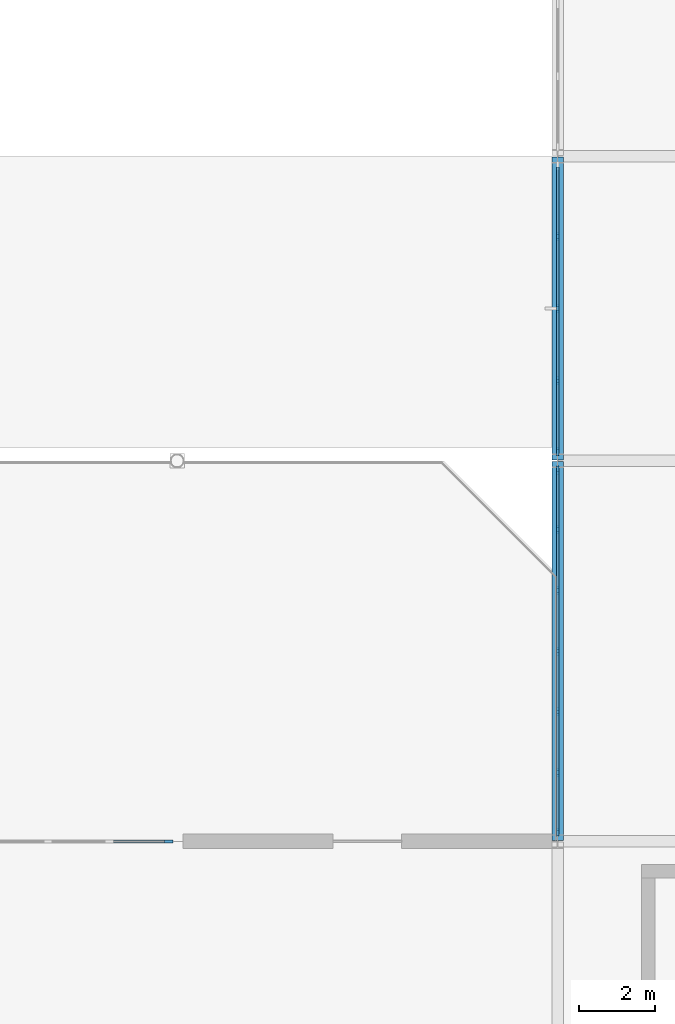
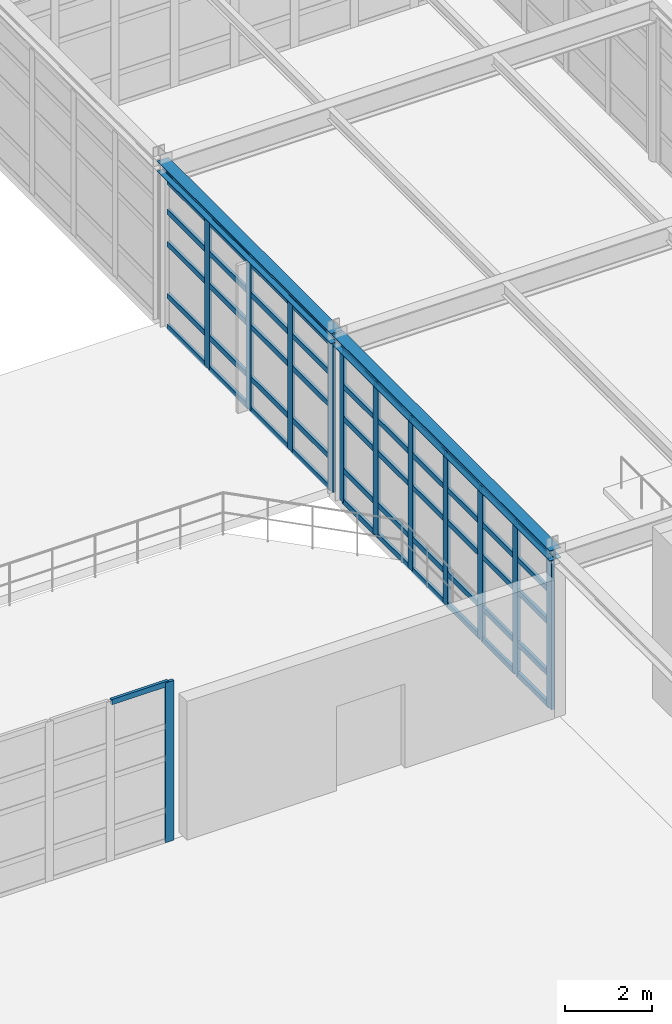
# One storey, part 59 of 139: 63 members, 2 beams, 3 elements without a shape of their own.
"""IFC4 building model written with IfcOpenShell, lengths in metres."""

from ifc_helpers import new_model, si_unit, direction, frame, origin, origin_2d, place, context, subcontext, project, spatial, rectangle, i_section, extrude, material, layer, layer_set, material_profile, profile_set, type_object, element, aggregate, save


model = new_model("IFC4")

# Units and contexts
model_context = context("Model", 3, precision=1e-05, world=origin(), true_north=direction((0.0, 1.0)))
body_context = subcontext(model_context, "Body", "Model", "MODEL_VIEW")
ifc_project = project(units=[si_unit("LENGTHUNIT", "METRE"), si_unit("AREAUNIT", "SQUARE_METRE"), si_unit("VOLUMEUNIT", "CUBIC_METRE"), si_unit("PLANEANGLEUNIT", "RADIAN"), si_unit("MASSUNIT", "GRAM", prefix="KILO"), si_unit("THERMODYNAMICTEMPERATUREUNIT", "KELVIN"), si_unit("POWERUNIT", "WATT")], contexts=[model_context])

# Site, building, storey
site_placement = place(None, origin())
site = spatial("IfcSite", under=ifc_project, at=site_placement, CompositionType="ELEMENT")
building_placement = place(site_placement, origin())
building = spatial("IfcBuilding", under=site, at=building_placement, Name="Korenveer Ferry Terminal", CompositionType="ELEMENT")
storey_placement = place(building_placement, frame((0.0, 0.0, 5.39990234375)))
storey = spatial("IfcBuildingStorey", under=building, at=storey_placement, Name="L01", CompositionType="ELEMENT", Elevation=5.39990234375)

# Curtain wall, member
ifc_material_1 = material(Name="Unitised bronze-and-glass curtain wall", Category="glass")
ifc_layer_1 = layer(ifc_material_1, 0.219970703125)
ifc_layer_set_1 = layer_set([ifc_layer_1], Name="Unitised bronze-and-glass curtain wall")
curtain_wall_type_1 = type_object("IfcCurtainWallType", Name="ENV-CW-52", PredefinedType="USERDEFINED", material=ifc_layer_set_1)
curtain_wall_1_placement = place(storey_placement, frame((103.179931640625, 90.0, 0.0)))
curtain_wall_1 = element("IfcCurtainWall", 1, at=curtain_wall_1_placement, inside=storey, type_object=curtain_wall_type_1, Name="Lancet curtain wall CWX-L01-X103-113-Y90-90", ObjectType="UNITISED CURTAIN WALL", PredefinedType="USERDEFINED")
ifc_material_2 = material(Name="Anodised bronze aluminium", Category="aluminium")
ifc_material_profile_1 = material_profile(ifc_material_2, rectangle(XDim=0.074951171875, YDim=0.219970703125, at=origin_2d()), Name="ALU 75x220")
ifc_profile_set_1 = profile_set([ifc_material_profile_1], Name="Anodised bronze aluminium")
member_type_1 = type_object("IfcMemberType", Name="ENV-CWM-75X220", PredefinedType="MULLION", material=ifc_profile_set_1)
member_1_placement = place(storey_placement, frame((112.782470703125, 90.0, 0.0), z_axis=(0.0, 0.0, 1.0), x_axis=(0.0, 1.0, 0.0)))
member_1 = element("IfcMember", 2, at=member_1_placement, type_object=member_type_1, Name="CW-52 mullion 7", PredefinedType="MULLION", context=body_context, shape_type="SweptSolid", body=[
    extrude(rectangle(XDim=0.074951171875, YDim=0.219970703125, at=origin_2d()), origin(), (0.0, 0.0, 1.0), 4.460205078125),
])

# Curtain wall, members
ifc_layer_2 = layer(ifc_material_1, 0.219970703125)
ifc_layer_set_2 = layer_set([ifc_layer_2], Name="Unitised bronze-and-glass curtain wall")
curtain_wall_type_2 = type_object("IfcCurtainWallType", Name="ENV-CW-68", PredefinedType="USERDEFINED", material=ifc_layer_set_2)
curtain_wall_2_placement = place(storey_placement, frame((123.0, 90.2099609375, 0.0)))
curtain_wall_2 = element("IfcCurtainWall", 3, at=curtain_wall_2_placement, inside=storey, type_object=curtain_wall_type_2, Name="Lancet curtain wall CWX-L01-X123-123-Y90-100", ObjectType="UNITISED CURTAIN WALL", PredefinedType="USERDEFINED")
member_2_placement = place(storey_placement, frame((123.0, 90.24755859375, 0.0), z_axis=(0.0, 0.0, 1.0), x_axis=(-1.0, 0.0, 0.0)))
member_2 = element("IfcMember", 4, at=member_2_placement, type_object=member_type_1, Name="CW-68 mullion 1", PredefinedType="MULLION", context=body_context, shape_type="SweptSolid", body=[
    extrude(rectangle(XDim=0.074951171875, YDim=0.219970703125, at=origin_2d()), origin(), (0.0, 0.0, 1.0), 4.22998046875),
])
member_3_placement = place(storey_placement, frame((123.0, 91.806640625, 0.0), z_axis=(0.0, 0.0, 1.0), x_axis=(-1.0, 0.0, 0.0)))
member_3 = element("IfcMember", 5, at=member_3_placement, type_object=member_type_1, Name="CW-68 mullion 2", PredefinedType="MULLION", context=body_context, shape_type="SweptSolid", body=[
    extrude(rectangle(XDim=0.074951171875, YDim=0.219970703125, at=origin_2d()), origin(), (0.0, 0.0, 1.0), 4.22998046875),
])
member_4_placement = place(storey_placement, frame((123.0, 93.4033203125, 0.0), z_axis=(0.0, 0.0, 1.0), x_axis=(-1.0, 0.0, 0.0)))
member_4 = element("IfcMember", 6, at=member_4_placement, type_object=member_type_1, Name="CW-68 mullion 3", PredefinedType="MULLION", context=body_context, shape_type="SweptSolid", body=[
    extrude(rectangle(XDim=0.074951171875, YDim=0.219970703125, at=origin_2d()), origin(), (0.0, 0.0, 1.0), 4.22998046875),
])
member_5_placement = place(storey_placement, frame((123.0, 95.0, 0.0), z_axis=(0.0, 0.0, 1.0), x_axis=(-1.0, 0.0, 0.0)))
member_5 = element("IfcMember", 7, at=member_5_placement, type_object=member_type_1, Name="CW-68 mullion 4", PredefinedType="MULLION", context=body_context, shape_type="SweptSolid", body=[
    extrude(rectangle(XDim=0.074951171875, YDim=0.219970703125, at=origin_2d()), origin(), (0.0, 0.0, 1.0), 4.22998046875),
])
member_6_placement = place(storey_placement, frame((123.0, 96.5966796875, 0.0), z_axis=(0.0, 0.0, 1.0), x_axis=(-1.0, 0.0, 0.0)))
member_6 = element("IfcMember", 8, at=member_6_placement, type_object=member_type_1, Name="CW-68 mullion 5", PredefinedType="MULLION", context=body_context, shape_type="SweptSolid", body=[
    extrude(rectangle(XDim=0.074951171875, YDim=0.219970703125, at=origin_2d()), origin(), (0.0, 0.0, 1.0), 4.22998046875),
])
member_7_placement = place(storey_placement, frame((123.0, 98.193359375, 0.0), z_axis=(0.0, 0.0, 1.0), x_axis=(-1.0, 0.0, 0.0)))
member_7 = element("IfcMember", 9, at=member_7_placement, type_object=member_type_1, Name="CW-68 mullion 6", PredefinedType="MULLION", context=body_context, shape_type="SweptSolid", body=[
    extrude(rectangle(XDim=0.074951171875, YDim=0.219970703125, at=origin_2d()), origin(), (0.0, 0.0, 1.0), 4.22998046875),
])
member_8_placement = place(storey_placement, frame((123.0, 99.75244140625, 0.0), z_axis=(0.0, 0.0, 1.0), x_axis=(-1.0, 0.0, 0.0)))
member_8 = element("IfcMember", 10, at=member_8_placement, type_object=member_type_1, Name="CW-68 mullion 7", PredefinedType="MULLION", context=body_context, shape_type="SweptSolid", body=[
    extrude(rectangle(XDim=0.074951171875, YDim=0.219970703125, at=origin_2d()), origin(), (0.0, 0.0, 1.0), 4.22998046875),
])

ifc_layer_3 = layer(ifc_material_1, 0.219970703125)
ifc_layer_set_3 = layer_set([ifc_layer_3], Name="Unitised bronze-and-glass curtain wall")
curtain_wall_type_3 = type_object("IfcCurtainWallType", Name="ENV-CW-72", PredefinedType="USERDEFINED", material=ifc_layer_set_3)
curtain_wall_3_placement = place(storey_placement, frame((123.0, 100.2099609375, 0.0)))
curtain_wall_3 = element("IfcCurtainWall", 11, at=curtain_wall_3_placement, inside=storey, type_object=curtain_wall_type_3, Name="Lancet curtain wall CWX-L01-X123-123-Y100-108", ObjectType="UNITISED CURTAIN WALL", PredefinedType="USERDEFINED")
member_9_placement = place(storey_placement, frame((123.0, 100.24755859375, 0.0), z_axis=(0.0, 0.0, 1.0), x_axis=(-1.0, 0.0, 0.0)))
member_9 = element("IfcMember", 12, at=member_9_placement, type_object=member_type_1, Name="CW-72 mullion 1", PredefinedType="MULLION", context=body_context, shape_type="SweptSolid", body=[
    extrude(rectangle(XDim=0.074951171875, YDim=0.219970703125, at=origin_2d()), origin(), (0.0, 0.0, 1.0), 4.130126953125),
])
member_10_placement = place(storey_placement, frame((123.0, 102.10498046875, 0.0), z_axis=(0.0, 0.0, 1.0), x_axis=(-1.0, 0.0, 0.0)))
member_10 = element("IfcMember", 13, at=member_10_placement, type_object=member_type_1, Name="CW-72 mullion 2", PredefinedType="MULLION", context=body_context, shape_type="SweptSolid", body=[
    extrude(rectangle(XDim=0.074951171875, YDim=0.219970703125, at=origin_2d()), origin(), (0.0, 0.0, 1.0), 4.130126953125),
])
member_11_placement = place(storey_placement, frame((123.0, 104.0, 0.0), z_axis=(0.0, 0.0, 1.0), x_axis=(-1.0, 0.0, 0.0)))
member_11 = element("IfcMember", 14, at=member_11_placement, type_object=member_type_1, Name="CW-72 mullion 3", PredefinedType="MULLION", context=body_context, shape_type="SweptSolid", body=[
    extrude(rectangle(XDim=0.074951171875, YDim=0.219970703125, at=origin_2d()), origin(), (0.0, 0.0, 1.0), 4.130126953125),
])
member_12_placement = place(storey_placement, frame((123.0, 105.89501953125, 0.0), z_axis=(0.0, 0.0, 1.0), x_axis=(-1.0, 0.0, 0.0)))
member_12 = element("IfcMember", 15, at=member_12_placement, type_object=member_type_1, Name="CW-72 mullion 4", PredefinedType="MULLION", context=body_context, shape_type="SweptSolid", body=[
    extrude(rectangle(XDim=0.074951171875, YDim=0.219970703125, at=origin_2d()), origin(), (0.0, 0.0, 1.0), 4.130126953125),
])

# Member
ifc_material_profile_2 = material_profile(ifc_material_2, rectangle(XDim=0.074951171875, YDim=0.14990234375, at=origin_2d()), Name="ALU 75x150")
ifc_profile_set_2 = profile_set([ifc_material_profile_2], Name="Anodised bronze aluminium")
member_type_2 = type_object("IfcMemberType", Name="ENV-CWT-75X150", PredefinedType="USERDEFINED", material=ifc_profile_set_2)
member_13_placement = place(storey_placement, frame((111.250732421875, 90.0, 4.422607421875), z_axis=(1.0, 0.0, 0.0), x_axis=(0.0, 1.0, 0.0)))
member_13 = element("IfcMember", 16, at=member_13_placement, type_object=member_type_2, Name="CW-52 transom 6.5", ObjectType="TRANSOM", PredefinedType="USERDEFINED", context=body_context, shape_type="SweptSolid", body=[
    extrude(rectangle(XDim=0.074951171875, YDim=0.14990234375, at=origin_2d()), origin(), (0.0, 0.0, 1.0), 1.494384765625),
])

aggregate(curtain_wall_1, [member_1, member_13])

member_14_placement = place(storey_placement, frame((123.0, 90.284912109375, 0.03759765625), z_axis=(0.0, 1.0, 0.0), x_axis=(-1.0, 0.0, 0.0)))
member_14 = element("IfcMember", 17, at=member_14_placement, type_object=member_type_2, Name="CW-68 transom 1.1", ObjectType="TRANSOM", PredefinedType="USERDEFINED", context=body_context, shape_type="SweptSolid", body=[
    extrude(rectangle(XDim=0.074951171875, YDim=0.14990234375, at=origin_2d()), origin(), (0.0, 0.0, 1.0), 1.484375),
])

member_15_placement = place(storey_placement, frame((123.0, 90.284912109375, 0.900146484375), z_axis=(0.0, 1.0, 0.0), x_axis=(-1.0, 0.0, 0.0)))
member_15 = element("IfcMember", 18, at=member_15_placement, type_object=member_type_2, Name="CW-68 transom 1.2", ObjectType="TRANSOM", PredefinedType="USERDEFINED", context=body_context, shape_type="SweptSolid", body=[
    extrude(rectangle(XDim=0.074951171875, YDim=0.14990234375, at=origin_2d()), origin(), (0.0, 0.0, 1.0), 1.484375),
])

member_16_placement = place(storey_placement, frame((123.0, 90.284912109375, 2.35009765625), z_axis=(0.0, 1.0, 0.0), x_axis=(-1.0, 0.0, 0.0)))
member_16 = element("IfcMember", 19, at=member_16_placement, type_object=member_type_2, Name="CW-68 transom 1.3", ObjectType="TRANSOM", PredefinedType="USERDEFINED", context=body_context, shape_type="SweptSolid", body=[
    extrude(rectangle(XDim=0.074951171875, YDim=0.14990234375, at=origin_2d()), origin(), (0.0, 0.0, 1.0), 1.484375),
])

member_17_placement = place(storey_placement, frame((123.0, 90.284912109375, 3.25), z_axis=(0.0, 1.0, 0.0), x_axis=(-1.0, 0.0, 0.0)))
member_17 = element("IfcMember", 20, at=member_17_placement, type_object=member_type_2, Name="CW-68 transom 1.4", ObjectType="TRANSOM", PredefinedType="USERDEFINED", context=body_context, shape_type="SweptSolid", body=[
    extrude(rectangle(XDim=0.074951171875, YDim=0.14990234375, at=origin_2d()), origin(), (0.0, 0.0, 1.0), 1.484375),
])

member_18_placement = place(storey_placement, frame((123.0, 90.284912109375, 4.192626953125), z_axis=(0.0, 1.0, 0.0), x_axis=(-1.0, 0.0, 0.0)))
member_18 = element("IfcMember", 21, at=member_18_placement, type_object=member_type_2, Name="CW-68 transom 1.5", ObjectType="TRANSOM", PredefinedType="USERDEFINED", context=body_context, shape_type="SweptSolid", body=[
    extrude(rectangle(XDim=0.074951171875, YDim=0.14990234375, at=origin_2d()), origin(), (0.0, 0.0, 1.0), 1.484375),
])

member_19_placement = place(storey_placement, frame((123.0, 91.84423828125, 0.03759765625), z_axis=(0.0, 1.0, 0.0), x_axis=(-1.0, 0.0, 0.0)))
member_19 = element("IfcMember", 22, at=member_19_placement, type_object=member_type_2, Name="CW-68 transom 2.1", ObjectType="TRANSOM", PredefinedType="USERDEFINED", context=body_context, shape_type="SweptSolid", body=[
    extrude(rectangle(XDim=0.074951171875, YDim=0.14990234375, at=origin_2d()), origin(), (0.0, 0.0, 1.0), 1.521484375),
])

member_20_placement = place(storey_placement, frame((123.0, 91.84423828125, 0.900146484375), z_axis=(0.0, 1.0, 0.0), x_axis=(-1.0, 0.0, 0.0)))
member_20 = element("IfcMember", 23, at=member_20_placement, type_object=member_type_2, Name="CW-68 transom 2.2", ObjectType="TRANSOM", PredefinedType="USERDEFINED", context=body_context, shape_type="SweptSolid", body=[
    extrude(rectangle(XDim=0.074951171875, YDim=0.14990234375, at=origin_2d()), origin(), (0.0, 0.0, 1.0), 1.521484375),
])

member_21_placement = place(storey_placement, frame((123.0, 91.84423828125, 2.35009765625), z_axis=(0.0, 1.0, 0.0), x_axis=(-1.0, 0.0, 0.0)))
member_21 = element("IfcMember", 24, at=member_21_placement, type_object=member_type_2, Name="CW-68 transom 2.3", ObjectType="TRANSOM", PredefinedType="USERDEFINED", context=body_context, shape_type="SweptSolid", body=[
    extrude(rectangle(XDim=0.074951171875, YDim=0.14990234375, at=origin_2d()), origin(), (0.0, 0.0, 1.0), 1.521484375),
])

member_22_placement = place(storey_placement, frame((123.0, 91.84423828125, 3.25), z_axis=(0.0, 1.0, 0.0), x_axis=(-1.0, 0.0, 0.0)))
member_22 = element("IfcMember", 25, at=member_22_placement, type_object=member_type_2, Name="CW-68 transom 2.4", ObjectType="TRANSOM", PredefinedType="USERDEFINED", context=body_context, shape_type="SweptSolid", body=[
    extrude(rectangle(XDim=0.074951171875, YDim=0.14990234375, at=origin_2d()), origin(), (0.0, 0.0, 1.0), 1.521484375),
])

member_23_placement = place(storey_placement, frame((123.0, 91.84423828125, 4.192626953125), z_axis=(0.0, 1.0, 0.0), x_axis=(-1.0, 0.0, 0.0)))
member_23 = element("IfcMember", 26, at=member_23_placement, type_object=member_type_2, Name="CW-68 transom 2.5", ObjectType="TRANSOM", PredefinedType="USERDEFINED", context=body_context, shape_type="SweptSolid", body=[
    extrude(rectangle(XDim=0.074951171875, YDim=0.14990234375, at=origin_2d()), origin(), (0.0, 0.0, 1.0), 1.521484375),
])

member_24_placement = place(storey_placement, frame((123.0, 93.44091796875, 0.03759765625), z_axis=(0.0, 1.0, 0.0), x_axis=(-1.0, 0.0, 0.0)))
member_24 = element("IfcMember", 27, at=member_24_placement, type_object=member_type_2, Name="CW-68 transom 3.1", ObjectType="TRANSOM", PredefinedType="USERDEFINED", context=body_context, shape_type="SweptSolid", body=[
    extrude(rectangle(XDim=0.074951171875, YDim=0.14990234375, at=origin_2d()), origin(), (0.0, 0.0, 1.0), 1.521484375),
])

member_25_placement = place(storey_placement, frame((123.0, 93.44091796875, 0.900146484375), z_axis=(0.0, 1.0, 0.0), x_axis=(-1.0, 0.0, 0.0)))
member_25 = element("IfcMember", 28, at=member_25_placement, type_object=member_type_2, Name="CW-68 transom 3.2", ObjectType="TRANSOM", PredefinedType="USERDEFINED", context=body_context, shape_type="SweptSolid", body=[
    extrude(rectangle(XDim=0.074951171875, YDim=0.14990234375, at=origin_2d()), origin(), (0.0, 0.0, 1.0), 1.521484375),
])

member_26_placement = place(storey_placement, frame((123.0, 93.44091796875, 2.35009765625), z_axis=(0.0, 1.0, 0.0), x_axis=(-1.0, 0.0, 0.0)))
member_26 = element("IfcMember", 29, at=member_26_placement, type_object=member_type_2, Name="CW-68 transom 3.3", ObjectType="TRANSOM", PredefinedType="USERDEFINED", context=body_context, shape_type="SweptSolid", body=[
    extrude(rectangle(XDim=0.074951171875, YDim=0.14990234375, at=origin_2d()), origin(), (0.0, 0.0, 1.0), 1.521484375),
])

member_27_placement = place(storey_placement, frame((123.0, 93.44091796875, 3.25), z_axis=(0.0, 1.0, 0.0), x_axis=(-1.0, 0.0, 0.0)))
member_27 = element("IfcMember", 30, at=member_27_placement, type_object=member_type_2, Name="CW-68 transom 3.4", ObjectType="TRANSOM", PredefinedType="USERDEFINED", context=body_context, shape_type="SweptSolid", body=[
    extrude(rectangle(XDim=0.074951171875, YDim=0.14990234375, at=origin_2d()), origin(), (0.0, 0.0, 1.0), 1.521484375),
])

member_28_placement = place(storey_placement, frame((123.0, 93.44091796875, 4.192626953125), z_axis=(0.0, 1.0, 0.0), x_axis=(-1.0, 0.0, 0.0)))
member_28 = element("IfcMember", 31, at=member_28_placement, type_object=member_type_2, Name="CW-68 transom 3.5", ObjectType="TRANSOM", PredefinedType="USERDEFINED", context=body_context, shape_type="SweptSolid", body=[
    extrude(rectangle(XDim=0.074951171875, YDim=0.14990234375, at=origin_2d()), origin(), (0.0, 0.0, 1.0), 1.521484375),
])

member_29_placement = place(storey_placement, frame((123.0, 95.03759765625, 0.03759765625), z_axis=(0.0, 1.0, 0.0), x_axis=(-1.0, 0.0, 0.0)))
member_29 = element("IfcMember", 32, at=member_29_placement, type_object=member_type_2, Name="CW-68 transom 4.1", ObjectType="TRANSOM", PredefinedType="USERDEFINED", context=body_context, shape_type="SweptSolid", body=[
    extrude(rectangle(XDim=0.074951171875, YDim=0.14990234375, at=origin_2d()), origin(), (0.0, 0.0, 1.0), 1.521484375),
])

member_30_placement = place(storey_placement, frame((123.0, 95.03759765625, 0.900146484375), z_axis=(0.0, 1.0, 0.0), x_axis=(-1.0, 0.0, 0.0)))
member_30 = element("IfcMember", 33, at=member_30_placement, type_object=member_type_2, Name="CW-68 transom 4.2", ObjectType="TRANSOM", PredefinedType="USERDEFINED", context=body_context, shape_type="SweptSolid", body=[
    extrude(rectangle(XDim=0.074951171875, YDim=0.14990234375, at=origin_2d()), origin(), (0.0, 0.0, 1.0), 1.521484375),
])

member_31_placement = place(storey_placement, frame((123.0, 95.03759765625, 2.35009765625), z_axis=(0.0, 1.0, 0.0), x_axis=(-1.0, 0.0, 0.0)))
member_31 = element("IfcMember", 34, at=member_31_placement, type_object=member_type_2, Name="CW-68 transom 4.3", ObjectType="TRANSOM", PredefinedType="USERDEFINED", context=body_context, shape_type="SweptSolid", body=[
    extrude(rectangle(XDim=0.074951171875, YDim=0.14990234375, at=origin_2d()), origin(), (0.0, 0.0, 1.0), 1.521484375),
])

member_32_placement = place(storey_placement, frame((123.0, 95.03759765625, 3.25), z_axis=(0.0, 1.0, 0.0), x_axis=(-1.0, 0.0, 0.0)))
member_32 = element("IfcMember", 35, at=member_32_placement, type_object=member_type_2, Name="CW-68 transom 4.4", ObjectType="TRANSOM", PredefinedType="USERDEFINED", context=body_context, shape_type="SweptSolid", body=[
    extrude(rectangle(XDim=0.074951171875, YDim=0.14990234375, at=origin_2d()), origin(), (0.0, 0.0, 1.0), 1.521484375),
])

member_33_placement = place(storey_placement, frame((123.0, 95.03759765625, 4.192626953125), z_axis=(0.0, 1.0, 0.0), x_axis=(-1.0, 0.0, 0.0)))
member_33 = element("IfcMember", 36, at=member_33_placement, type_object=member_type_2, Name="CW-68 transom 4.5", ObjectType="TRANSOM", PredefinedType="USERDEFINED", context=body_context, shape_type="SweptSolid", body=[
    extrude(rectangle(XDim=0.074951171875, YDim=0.14990234375, at=origin_2d()), origin(), (0.0, 0.0, 1.0), 1.521484375),
])

member_34_placement = place(storey_placement, frame((123.0, 96.63427734375, 0.03759765625), z_axis=(0.0, 1.0, 0.0), x_axis=(-1.0, 0.0, 0.0)))
member_34 = element("IfcMember", 37, at=member_34_placement, type_object=member_type_2, Name="CW-68 transom 5.1", ObjectType="TRANSOM", PredefinedType="USERDEFINED", context=body_context, shape_type="SweptSolid", body=[
    extrude(rectangle(XDim=0.074951171875, YDim=0.14990234375, at=origin_2d()), origin(), (0.0, 0.0, 1.0), 1.521484375),
])

member_35_placement = place(storey_placement, frame((123.0, 96.63427734375, 0.900146484375), z_axis=(0.0, 1.0, 0.0), x_axis=(-1.0, 0.0, 0.0)))
member_35 = element("IfcMember", 38, at=member_35_placement, type_object=member_type_2, Name="CW-68 transom 5.2", ObjectType="TRANSOM", PredefinedType="USERDEFINED", context=body_context, shape_type="SweptSolid", body=[
    extrude(rectangle(XDim=0.074951171875, YDim=0.14990234375, at=origin_2d()), origin(), (0.0, 0.0, 1.0), 1.521484375),
])

member_36_placement = place(storey_placement, frame((123.0, 96.63427734375, 2.35009765625), z_axis=(0.0, 1.0, 0.0), x_axis=(-1.0, 0.0, 0.0)))
member_36 = element("IfcMember", 39, at=member_36_placement, type_object=member_type_2, Name="CW-68 transom 5.3", ObjectType="TRANSOM", PredefinedType="USERDEFINED", context=body_context, shape_type="SweptSolid", body=[
    extrude(rectangle(XDim=0.074951171875, YDim=0.14990234375, at=origin_2d()), origin(), (0.0, 0.0, 1.0), 1.521484375),
])

member_37_placement = place(storey_placement, frame((123.0, 96.63427734375, 3.25), z_axis=(0.0, 1.0, 0.0), x_axis=(-1.0, 0.0, 0.0)))
member_37 = element("IfcMember", 40, at=member_37_placement, type_object=member_type_2, Name="CW-68 transom 5.4", ObjectType="TRANSOM", PredefinedType="USERDEFINED", context=body_context, shape_type="SweptSolid", body=[
    extrude(rectangle(XDim=0.074951171875, YDim=0.14990234375, at=origin_2d()), origin(), (0.0, 0.0, 1.0), 1.521484375),
])

member_38_placement = place(storey_placement, frame((123.0, 96.63427734375, 4.192626953125), z_axis=(0.0, 1.0, 0.0), x_axis=(-1.0, 0.0, 0.0)))
member_38 = element("IfcMember", 41, at=member_38_placement, type_object=member_type_2, Name="CW-68 transom 5.5", ObjectType="TRANSOM", PredefinedType="USERDEFINED", context=body_context, shape_type="SweptSolid", body=[
    extrude(rectangle(XDim=0.074951171875, YDim=0.14990234375, at=origin_2d()), origin(), (0.0, 0.0, 1.0), 1.521484375),
])

member_39_placement = place(storey_placement, frame((123.0, 98.230712890625, 0.03759765625), z_axis=(0.0, 1.0, 0.0), x_axis=(-1.0, 0.0, 0.0)))
member_39 = element("IfcMember", 42, at=member_39_placement, type_object=member_type_2, Name="CW-68 transom 6.1", ObjectType="TRANSOM", PredefinedType="USERDEFINED", context=body_context, shape_type="SweptSolid", body=[
    extrude(rectangle(XDim=0.074951171875, YDim=0.14990234375, at=origin_2d()), origin(), (0.0, 0.0, 1.0), 1.484375),
])

member_40_placement = place(storey_placement, frame((123.0, 98.230712890625, 0.900146484375), z_axis=(0.0, 1.0, 0.0), x_axis=(-1.0, 0.0, 0.0)))
member_40 = element("IfcMember", 43, at=member_40_placement, type_object=member_type_2, Name="CW-68 transom 6.2", ObjectType="TRANSOM", PredefinedType="USERDEFINED", context=body_context, shape_type="SweptSolid", body=[
    extrude(rectangle(XDim=0.074951171875, YDim=0.14990234375, at=origin_2d()), origin(), (0.0, 0.0, 1.0), 1.484375),
])

member_41_placement = place(storey_placement, frame((123.0, 98.230712890625, 2.35009765625), z_axis=(0.0, 1.0, 0.0), x_axis=(-1.0, 0.0, 0.0)))
member_41 = element("IfcMember", 44, at=member_41_placement, type_object=member_type_2, Name="CW-68 transom 6.3", ObjectType="TRANSOM", PredefinedType="USERDEFINED", context=body_context, shape_type="SweptSolid", body=[
    extrude(rectangle(XDim=0.074951171875, YDim=0.14990234375, at=origin_2d()), origin(), (0.0, 0.0, 1.0), 1.484375),
])

member_42_placement = place(storey_placement, frame((123.0, 98.230712890625, 3.25), z_axis=(0.0, 1.0, 0.0), x_axis=(-1.0, 0.0, 0.0)))
member_42 = element("IfcMember", 45, at=member_42_placement, type_object=member_type_2, Name="CW-68 transom 6.4", ObjectType="TRANSOM", PredefinedType="USERDEFINED", context=body_context, shape_type="SweptSolid", body=[
    extrude(rectangle(XDim=0.074951171875, YDim=0.14990234375, at=origin_2d()), origin(), (0.0, 0.0, 1.0), 1.484375),
])

member_43_placement = place(storey_placement, frame((123.0, 98.230712890625, 4.192626953125), z_axis=(0.0, 1.0, 0.0), x_axis=(-1.0, 0.0, 0.0)))
member_43 = element("IfcMember", 46, at=member_43_placement, type_object=member_type_2, Name="CW-68 transom 6.5", ObjectType="TRANSOM", PredefinedType="USERDEFINED", context=body_context, shape_type="SweptSolid", body=[
    extrude(rectangle(XDim=0.074951171875, YDim=0.14990234375, at=origin_2d()), origin(), (0.0, 0.0, 1.0), 1.484375),
])

aggregate(curtain_wall_2, [member_2, member_3, member_4, member_5, member_6, member_7, member_8, member_14, member_15, member_16, member_17, member_18, member_19, member_20, member_21, member_22, member_23, member_24, member_25, member_26, member_27, member_28, member_29, member_30, member_31, member_32, member_33, member_34, member_35, member_36, member_37, member_38, member_39, member_40, member_41, member_42, member_43])

member_44_placement = place(storey_placement, frame((123.0, 100.284912109375, 0.03759765625), z_axis=(0.0, 1.0, 0.0), x_axis=(-1.0, 0.0, 0.0)))
member_44 = element("IfcMember", 47, at=member_44_placement, type_object=member_type_2, Name="CW-72 transom 1.1", ObjectType="TRANSOM", PredefinedType="USERDEFINED", context=body_context, shape_type="SweptSolid", body=[
    extrude(rectangle(XDim=0.074951171875, YDim=0.14990234375, at=origin_2d()), origin(), (0.0, 0.0, 1.0), 1.782470703125),
])

member_45_placement = place(storey_placement, frame((123.0, 100.284912109375, 0.900146484375), z_axis=(0.0, 1.0, 0.0), x_axis=(-1.0, 0.0, 0.0)))
member_45 = element("IfcMember", 48, at=member_45_placement, type_object=member_type_2, Name="CW-72 transom 1.2", ObjectType="TRANSOM", PredefinedType="USERDEFINED", context=body_context, shape_type="SweptSolid", body=[
    extrude(rectangle(XDim=0.074951171875, YDim=0.14990234375, at=origin_2d()), origin(), (0.0, 0.0, 1.0), 1.782470703125),
])

member_46_placement = place(storey_placement, frame((123.0, 100.284912109375, 2.35009765625), z_axis=(0.0, 1.0, 0.0), x_axis=(-1.0, 0.0, 0.0)))
member_46 = element("IfcMember", 49, at=member_46_placement, type_object=member_type_2, Name="CW-72 transom 1.3", ObjectType="TRANSOM", PredefinedType="USERDEFINED", context=body_context, shape_type="SweptSolid", body=[
    extrude(rectangle(XDim=0.074951171875, YDim=0.14990234375, at=origin_2d()), origin(), (0.0, 0.0, 1.0), 1.782470703125),
])

member_47_placement = place(storey_placement, frame((123.0, 100.284912109375, 3.25), z_axis=(0.0, 1.0, 0.0), x_axis=(-1.0, 0.0, 0.0)))
member_47 = element("IfcMember", 50, at=member_47_placement, type_object=member_type_2, Name="CW-72 transom 1.4", ObjectType="TRANSOM", PredefinedType="USERDEFINED", context=body_context, shape_type="SweptSolid", body=[
    extrude(rectangle(XDim=0.074951171875, YDim=0.14990234375, at=origin_2d()), origin(), (0.0, 0.0, 1.0), 1.782470703125),
])

member_48_placement = place(storey_placement, frame((123.0, 100.284912109375, 4.092529296875), z_axis=(0.0, 1.0, 0.0), x_axis=(-1.0, 0.0, 0.0)))
member_48 = element("IfcMember", 51, at=member_48_placement, type_object=member_type_2, Name="CW-72 transom 1.5", ObjectType="TRANSOM", PredefinedType="USERDEFINED", context=body_context, shape_type="SweptSolid", body=[
    extrude(rectangle(XDim=0.074951171875, YDim=0.14990234375, at=origin_2d()), origin(), (0.0, 0.0, 1.0), 1.782470703125),
])

member_49_placement = place(storey_placement, frame((123.0, 102.142578125, 0.03759765625), z_axis=(0.0, 1.0, 0.0), x_axis=(-1.0, 0.0, 0.0)))
member_49 = element("IfcMember", 52, at=member_49_placement, type_object=member_type_2, Name="CW-72 transom 2.1", ObjectType="TRANSOM", PredefinedType="USERDEFINED", context=body_context, shape_type="SweptSolid", body=[
    extrude(rectangle(XDim=0.074951171875, YDim=0.14990234375, at=origin_2d()), origin(), (0.0, 0.0, 1.0), 1.81982421875),
])

member_50_placement = place(storey_placement, frame((123.0, 102.142578125, 0.900146484375), z_axis=(0.0, 1.0, 0.0), x_axis=(-1.0, 0.0, 0.0)))
member_50 = element("IfcMember", 53, at=member_50_placement, type_object=member_type_2, Name="CW-72 transom 2.2", ObjectType="TRANSOM", PredefinedType="USERDEFINED", context=body_context, shape_type="SweptSolid", body=[
    extrude(rectangle(XDim=0.074951171875, YDim=0.14990234375, at=origin_2d()), origin(), (0.0, 0.0, 1.0), 1.81982421875),
])

member_51_placement = place(storey_placement, frame((123.0, 102.142578125, 2.35009765625), z_axis=(0.0, 1.0, 0.0), x_axis=(-1.0, 0.0, 0.0)))
member_51 = element("IfcMember", 54, at=member_51_placement, type_object=member_type_2, Name="CW-72 transom 2.3", ObjectType="TRANSOM", PredefinedType="USERDEFINED", context=body_context, shape_type="SweptSolid", body=[
    extrude(rectangle(XDim=0.074951171875, YDim=0.14990234375, at=origin_2d()), origin(), (0.0, 0.0, 1.0), 1.81982421875),
])

member_52_placement = place(storey_placement, frame((123.0, 102.142578125, 3.25), z_axis=(0.0, 1.0, 0.0), x_axis=(-1.0, 0.0, 0.0)))
member_52 = element("IfcMember", 55, at=member_52_placement, type_object=member_type_2, Name="CW-72 transom 2.4", ObjectType="TRANSOM", PredefinedType="USERDEFINED", context=body_context, shape_type="SweptSolid", body=[
    extrude(rectangle(XDim=0.074951171875, YDim=0.14990234375, at=origin_2d()), origin(), (0.0, 0.0, 1.0), 1.81982421875),
])

member_53_placement = place(storey_placement, frame((123.0, 102.142578125, 4.092529296875), z_axis=(0.0, 1.0, 0.0), x_axis=(-1.0, 0.0, 0.0)))
member_53 = element("IfcMember", 56, at=member_53_placement, type_object=member_type_2, Name="CW-72 transom 2.5", ObjectType="TRANSOM", PredefinedType="USERDEFINED", context=body_context, shape_type="SweptSolid", body=[
    extrude(rectangle(XDim=0.074951171875, YDim=0.14990234375, at=origin_2d()), origin(), (0.0, 0.0, 1.0), 1.81982421875),
])

member_54_placement = place(storey_placement, frame((123.0, 104.03759765625, 0.03759765625), z_axis=(0.0, 1.0, 0.0), x_axis=(-1.0, 0.0, 0.0)))
member_54 = element("IfcMember", 57, at=member_54_placement, type_object=member_type_2, Name="CW-72 transom 3.1", ObjectType="TRANSOM", PredefinedType="USERDEFINED", context=body_context, shape_type="SweptSolid", body=[
    extrude(rectangle(XDim=0.074951171875, YDim=0.14990234375, at=origin_2d()), origin(), (0.0, 0.0, 1.0), 1.81982421875),
])

member_55_placement = place(storey_placement, frame((123.0, 104.03759765625, 0.900146484375), z_axis=(0.0, 1.0, 0.0), x_axis=(-1.0, 0.0, 0.0)))
member_55 = element("IfcMember", 58, at=member_55_placement, type_object=member_type_2, Name="CW-72 transom 3.2", ObjectType="TRANSOM", PredefinedType="USERDEFINED", context=body_context, shape_type="SweptSolid", body=[
    extrude(rectangle(XDim=0.074951171875, YDim=0.14990234375, at=origin_2d()), origin(), (0.0, 0.0, 1.0), 1.81982421875),
])

member_56_placement = place(storey_placement, frame((123.0, 104.03759765625, 2.35009765625), z_axis=(0.0, 1.0, 0.0), x_axis=(-1.0, 0.0, 0.0)))
member_56 = element("IfcMember", 59, at=member_56_placement, type_object=member_type_2, Name="CW-72 transom 3.3", ObjectType="TRANSOM", PredefinedType="USERDEFINED", context=body_context, shape_type="SweptSolid", body=[
    extrude(rectangle(XDim=0.074951171875, YDim=0.14990234375, at=origin_2d()), origin(), (0.0, 0.0, 1.0), 1.81982421875),
])

member_57_placement = place(storey_placement, frame((123.0, 104.03759765625, 3.25), z_axis=(0.0, 1.0, 0.0), x_axis=(-1.0, 0.0, 0.0)))
member_57 = element("IfcMember", 60, at=member_57_placement, type_object=member_type_2, Name="CW-72 transom 3.4", ObjectType="TRANSOM", PredefinedType="USERDEFINED", context=body_context, shape_type="SweptSolid", body=[
    extrude(rectangle(XDim=0.074951171875, YDim=0.14990234375, at=origin_2d()), origin(), (0.0, 0.0, 1.0), 1.81982421875),
])

member_58_placement = place(storey_placement, frame((123.0, 104.03759765625, 4.092529296875), z_axis=(0.0, 1.0, 0.0), x_axis=(-1.0, 0.0, 0.0)))
member_58 = element("IfcMember", 61, at=member_58_placement, type_object=member_type_2, Name="CW-72 transom 3.5", ObjectType="TRANSOM", PredefinedType="USERDEFINED", context=body_context, shape_type="SweptSolid", body=[
    extrude(rectangle(XDim=0.074951171875, YDim=0.14990234375, at=origin_2d()), origin(), (0.0, 0.0, 1.0), 1.81982421875),
])

member_59_placement = place(storey_placement, frame((123.0, 105.9326171875, 0.03759765625), z_axis=(0.0, 1.0, 0.0), x_axis=(-1.0, 0.0, 0.0)))
member_59 = element("IfcMember", 62, at=member_59_placement, type_object=member_type_2, Name="CW-72 transom 4.1", ObjectType="TRANSOM", PredefinedType="USERDEFINED", context=body_context, shape_type="SweptSolid", body=[
    extrude(rectangle(XDim=0.074951171875, YDim=0.14990234375, at=origin_2d()), origin(), (0.0, 0.0, 1.0), 1.782470703125),
])

member_60_placement = place(storey_placement, frame((123.0, 105.9326171875, 0.900146484375), z_axis=(0.0, 1.0, 0.0), x_axis=(-1.0, 0.0, 0.0)))
member_60 = element("IfcMember", 63, at=member_60_placement, type_object=member_type_2, Name="CW-72 transom 4.2", ObjectType="TRANSOM", PredefinedType="USERDEFINED", context=body_context, shape_type="SweptSolid", body=[
    extrude(rectangle(XDim=0.074951171875, YDim=0.14990234375, at=origin_2d()), origin(), (0.0, 0.0, 1.0), 1.782470703125),
])

member_61_placement = place(storey_placement, frame((123.0, 105.9326171875, 2.35009765625), z_axis=(0.0, 1.0, 0.0), x_axis=(-1.0, 0.0, 0.0)))
member_61 = element("IfcMember", 64, at=member_61_placement, type_object=member_type_2, Name="CW-72 transom 4.3", ObjectType="TRANSOM", PredefinedType="USERDEFINED", context=body_context, shape_type="SweptSolid", body=[
    extrude(rectangle(XDim=0.074951171875, YDim=0.14990234375, at=origin_2d()), origin(), (0.0, 0.0, 1.0), 1.782470703125),
])

member_62_placement = place(storey_placement, frame((123.0, 105.9326171875, 3.25), z_axis=(0.0, 1.0, 0.0), x_axis=(-1.0, 0.0, 0.0)))
member_62 = element("IfcMember", 65, at=member_62_placement, type_object=member_type_2, Name="CW-72 transom 4.4", ObjectType="TRANSOM", PredefinedType="USERDEFINED", context=body_context, shape_type="SweptSolid", body=[
    extrude(rectangle(XDim=0.074951171875, YDim=0.14990234375, at=origin_2d()), origin(), (0.0, 0.0, 1.0), 1.782470703125),
])

member_63_placement = place(storey_placement, frame((123.0, 105.9326171875, 4.092529296875), z_axis=(0.0, 1.0, 0.0), x_axis=(-1.0, 0.0, 0.0)))
member_63 = element("IfcMember", 66, at=member_63_placement, type_object=member_type_2, Name="CW-72 transom 4.5", ObjectType="TRANSOM", PredefinedType="USERDEFINED", context=body_context, shape_type="SweptSolid", body=[
    extrude(rectangle(XDim=0.074951171875, YDim=0.14990234375, at=origin_2d()), origin(), (0.0, 0.0, 1.0), 1.782470703125),
])

aggregate(curtain_wall_3, [member_9, member_10, member_11, member_12, member_44, member_45, member_46, member_47, member_48, member_49, member_50, member_51, member_52, member_53, member_54, member_55, member_56, member_57, member_58, member_59, member_60, member_61, member_62, member_63])

# Beams
ifc_material_3 = material(Name="Steel S355", Category="steel")
ifc_material_profile_3 = material_profile(ifc_material_3, i_section(OverallWidth=0.300048828125, OverallDepth=0.2900390625, WebThickness=0.008544921875, FlangeThickness=0.013916015625, FilletRadius=0.027099609375, at=origin_2d()), Name="HEA 300")
ifc_profile_set_3 = profile_set([ifc_material_profile_3], Name="Steel S355")
beam_type = type_object("IfcBeamType", Name="STR-BM-HEA300", PredefinedType="BEAM", material=ifc_profile_set_3)
beam_1_placement = place(storey_placement, frame((123.0, 90.02001953125, 4.405029296875), z_axis=(0.0, 1.0, 0.0), x_axis=(-1.0, 0.0, 0.0)))
element("IfcBeam", 67, at=beam_1_placement, inside=storey, type_object=beam_type, Name="Primary Y girder BMY-L02-X123-Y90-100", PredefinedType="BEAM", context=body_context, shape_type="SweptSolid", body=[
    extrude(i_section(OverallWidth=0.300048828125, OverallDepth=0.2900390625, WebThickness=0.008544921875, FlangeThickness=0.013916015625, FilletRadius=0.027099609375, at=origin_2d()), origin(), (0.0, 0.0, 1.0), 9.9599609375),
])
beam_2_placement = place(storey_placement, frame((123.0, 100.02001953125, 4.405029296875), z_axis=(0.0, 1.0, 0.0), x_axis=(-1.0, 0.0, 0.0)))
element("IfcBeam", 68, at=beam_2_placement, inside=storey, type_object=beam_type, Name="Primary Y girder BMY-L02-X123-Y100-108", PredefinedType="BEAM", context=body_context, shape_type="SweptSolid", body=[
    extrude(i_section(OverallWidth=0.300048828125, OverallDepth=0.2900390625, WebThickness=0.008544921875, FlangeThickness=0.013916015625, FilletRadius=0.027099609375, at=origin_2d()), origin(), (0.0, 0.0, 1.0), 7.9599609375),
])

save(model, "model.ifc")
